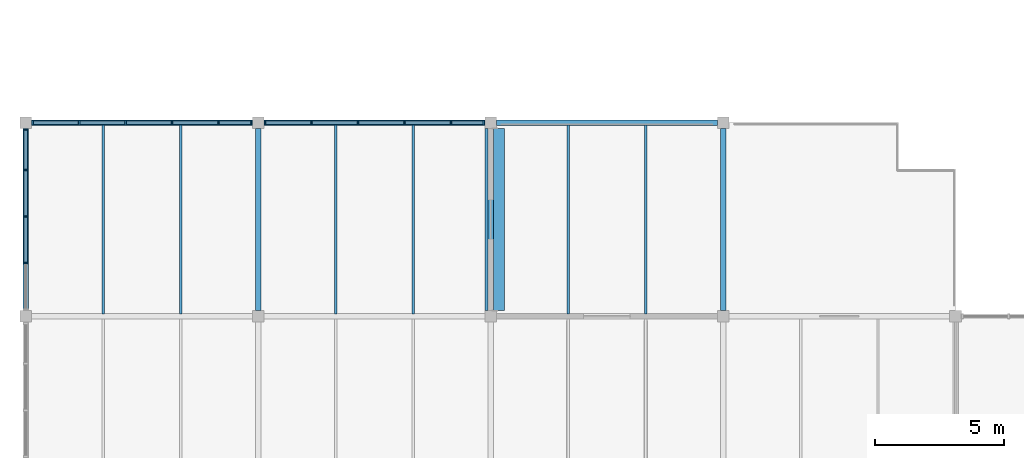
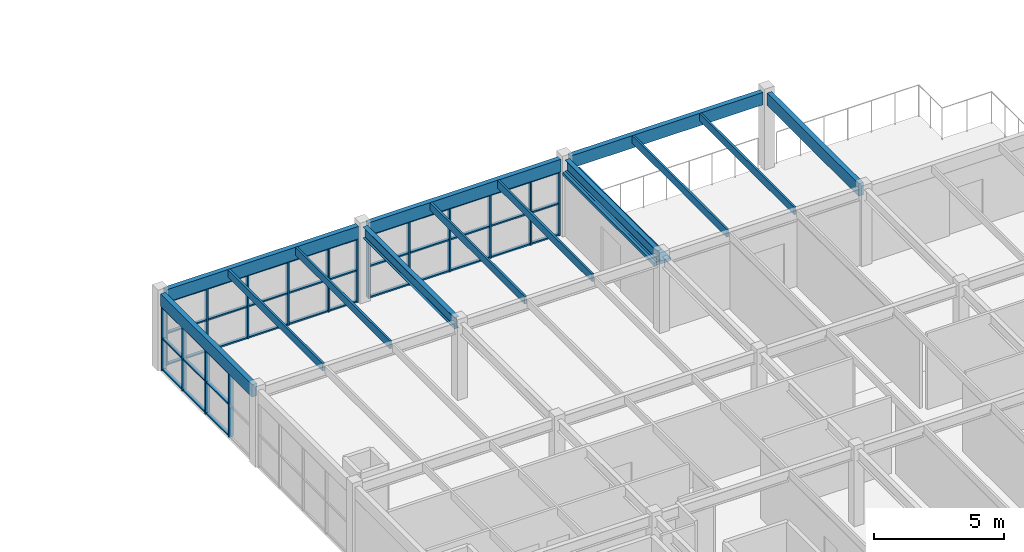
# One storey, part 8 of 45: 56 members, 13 beams, 3 elements without a shape of their own.
"""IFC4 building model written with IfcOpenShell, lengths in metres."""

from ifc_helpers import new_model, si_unit, direction, frame, origin, origin_2d, place, context, subcontext, project, spatial, rectangle, i_section, extrude, material, layer, layer_set, material_profile, profile_set, type_object, element, aggregate, save


model = new_model("IFC4")

# Units and contexts
model_context = context("Model", 3, precision=1e-05, world=origin(), true_north=direction((0.0, 1.0)))
body_context = subcontext(model_context, "Body", "Model", "MODEL_VIEW")
ifc_project = project(units=[si_unit("LENGTHUNIT", "METRE"), si_unit("AREAUNIT", "SQUARE_METRE"), si_unit("VOLUMEUNIT", "CUBIC_METRE"), si_unit("PLANEANGLEUNIT", "RADIAN"), si_unit("MASSUNIT", "GRAM", prefix="KILO")], contexts=[model_context])

# Site, building, storey
site_placement = place(None, origin())
site = spatial("IfcSite", under=ifc_project, at=site_placement, CompositionType="ELEMENT")
building_placement = place(site_placement, origin())
building = spatial("IfcBuilding", under=site, at=building_placement, Name="Marnridge Secondary College", CompositionType="ELEMENT")
storey_placement = place(building_placement, frame((0.0, 0.0, 12.300048828125)))
storey = spatial("IfcBuildingStorey", under=building, at=storey_placement, Name="L03", CompositionType="ELEMENT", Elevation=12.300048828125)

# Beams
ifc_material_1 = material(Name="Glulam timber GL18", Category="wood")
ifc_material_profile_1 = material_profile(ifc_material_1, rectangle(XDim=0.215087890625, YDim=0.5849609375, at=origin_2d()), Name="GL18 215x585")
ifc_profile_set_1 = profile_set([ifc_material_profile_1], Name="Glulam timber GL18")
beam_type_1 = type_object("IfcBeamType", Name="BM-GL585-EXT", PredefinedType="SPANDREL", material=ifc_profile_set_1)
beam_1_placement = place(storey_placement, frame((0.218994140625, 37.5, 3.29736328125), z_axis=(1.0, 0.0, 0.0), x_axis=(0.0, 1.0, 0.0)))
element("IfcBeam", 1, at=beam_1_placement, inside=storey, type_object=beam_type_1, Name="Beam BS-L03-1149", PredefinedType="SPANDREL", context=body_context, shape_type="SweptSolid", body=[
    extrude(rectangle(XDim=0.215087890625, YDim=0.5849609375, at=origin_2d()), origin(), (0.0, 0.0, 1.0), 8.56201171875),
])
beam_2_placement = place(storey_placement, frame((0.0, 30.218994140625, 3.29736328125), z_axis=(0.0, 1.0, 0.0), x_axis=(-1.0, 0.0, 0.0)))
element("IfcBeam", 2, at=beam_2_placement, inside=storey, type_object=beam_type_1, Name="Beam BS-L03-1150", PredefinedType="SPANDREL", context=body_context, shape_type="SweptSolid", body=[
    extrude(rectangle(XDim=0.215087890625, YDim=0.5849609375, at=origin_2d()), origin(), (0.0, 0.0, 1.0), 7.06201171875),
])
for number, where, z_axis, x_axis, name in (
    (3, (9.218994140625, 37.5, 3.29736328125), (1.0, 0.0, 0.0), (0.0, 1.0, 0.0), "Beam BS-L03-1152"),
    (4, (18.218994140625, 37.5, 3.29736328125), (1.0, 0.0, 0.0), (0.0, 1.0, 0.0), "Beam BS-L03-1154"),
):
    element("IfcBeam", number, at=place(storey_placement, frame(where, z_axis=z_axis, x_axis=x_axis)), inside=storey, type_object=beam_type_1, Name=name, PredefinedType="SPANDREL", context=body_context, shape_type="SweptSolid", body=[
        extrude(rectangle(XDim=0.215087890625, YDim=0.5849609375, at=origin_2d()), origin(), (0.0, 0.0, 1.0), 8.56201171875),
    ])
beam_3_placement = place(storey_placement, frame((27.0, 30.218994140625, 3.29736328125), z_axis=(0.0, 1.0, 0.0), x_axis=(-1.0, 0.0, 0.0)))
element("IfcBeam", 5, at=beam_3_placement, inside=storey, type_object=beam_type_1, Name="Beam BS-L03-1155", PredefinedType="SPANDREL", context=body_context, shape_type="SweptSolid", body=[
    extrude(rectangle(XDim=0.215087890625, YDim=0.5849609375, at=origin_2d()), origin(), (0.0, 0.0, 1.0), 7.06201171875),
])
ifc_material_2 = material(Name="Engineered timber LVL E13.2", Category="wood")
ifc_material_profile_2 = material_profile(ifc_material_2, rectangle(XDim=0.090087890625, YDim=0.360107421875, at=origin_2d()), Name="LVL 90x360")
ifc_profile_set_2 = profile_set([ifc_material_profile_2], Name="Engineered timber LVL E13.2")
beam_type_2 = type_object("IfcBeamType", Name="BM-LVL360-INT", PredefinedType="JOIST", material=ifc_profile_set_2)
for number, where, z_axis, x_axis, name in (
    (6, (3.0, 30.098388671875, 3.409912109375), (0.0, 1.0, 0.0), (-1.0, 0.0, 0.0), "Beam BJ-L03-1183"),
    (7, (6.0, 30.098388671875, 3.409912109375), (0.0, 1.0, 0.0), (-1.0, 0.0, 0.0), "Beam BJ-L03-1184"),
    (8, (12.0, 30.098388671875, 3.409912109375), (0.0, 1.0, 0.0), (-1.0, 0.0, 0.0), "Beam BJ-L03-1185"),
    (9, (15.0, 30.098388671875, 3.409912109375), (0.0, 1.0, 0.0), (-1.0, 0.0, 0.0), "Beam BJ-L03-1186"),
    (10, (21.0, 30.098388671875, 3.409912109375), (0.0, 1.0, 0.0), (-1.0, 0.0, 0.0), "Beam BJ-L03-1187"),
    (11, (24.0, 30.098388671875, 3.409912109375), (0.0, 1.0, 0.0), (-1.0, 0.0, 0.0), "Beam BJ-L03-1188"),
):
    element("IfcBeam", number, at=place(storey_placement, frame(where, z_axis=z_axis, x_axis=x_axis)), inside=storey, type_object=beam_type_2, Name=name, PredefinedType="JOIST", context=body_context, shape_type="SweptSolid", body=[
        extrude(rectangle(XDim=0.090087890625, YDim=0.360107421875, at=origin_2d()), origin(), (0.0, 0.0, 1.0), 7.300048828125),
    ])
ifc_material_3 = material(Name="Structural steel Grade 350 (AS/NZS 3679.1/.2, fy = 340-360 MPa)", Category="steel")
ifc_material_profile_3 = material_profile(ifc_material_3, i_section(OverallWidth=0.208740234375, OverallDepth=0.5283203125, WebThickness=0.009521484375, FlangeThickness=0.01318359375, FilletRadius=0.013916015625, at=origin_2d()), Name="530UB82.0")
ifc_profile_set_3 = profile_set([ifc_material_profile_3], Name="Structural steel Grade 350 (AS/NZS 3679.1/.2, fy = 340-360 MPa)")
beam_type_3 = type_object("IfcBeamType", Name="BM-UB530-INT", PredefinedType="BEAM", material=ifc_profile_set_3)
for number, where, z_axis, x_axis, name in (
    (12, (9.0, 30.218994140625, 3.32568359375), (0.0, 1.0, 0.0), (-1.0, 0.0, 0.0), "Beam B-L03-1151"),
    (13, (18.0, 30.218994140625, 3.32568359375), (0.0, 1.0, 0.0), (-1.0, 0.0, 0.0), "Beam B-L03-1153"),
):
    element("IfcBeam", number, at=place(storey_placement, frame(where, z_axis=z_axis, x_axis=x_axis)), inside=storey, type_object=beam_type_3, Name=name, PredefinedType="BEAM", context=body_context, shape_type="SweptSolid", body=[
        extrude(i_section(OverallWidth=0.208740234375, OverallDepth=0.5283203125, WebThickness=0.009521484375, FlangeThickness=0.01318359375, FilletRadius=0.013916015625, at=origin_2d()), origin(), (0.0, 0.0, 1.0), 7.06201171875),
    ])

# Curtain wall, members
ifc_material_4 = material(Name="Bronze-anodised aluminium and solar-control glazing", Category="aluminium")
ifc_layer = layer(ifc_material_4, 0.199951171875)
ifc_layer_set = layer_set([ifc_layer], Name="CW-MOD-1800")
curtain_wall_type = type_object("IfcCurtainWallType", Name="CW-MOD-1800", PredefinedType="NOTDEFINED", material=ifc_layer_set)
curtain_wall_1_placement = place(storey_placement, origin())
curtain_wall_1 = element("IfcCurtainWall", 14, at=curtain_wall_1_placement, inside=storey, type_object=curtain_wall_type, Name="Unitised curtain wall CW-L03-127", PredefinedType="NOTDEFINED")
ifc_material_5 = material(Name="Bronze-anodised aluminium 6063-T6", Category="aluminium")
ifc_material_profile_4 = material_profile(ifc_material_5, rectangle(XDim=0.070068359375, YDim=0.199951171875, at=origin_2d()), Name="ALU 70x200")
ifc_profile_set_4 = profile_set([ifc_material_profile_4], Name="Bronze-anodised aluminium 6063-T6")
member_type_1 = type_object("IfcMemberType", Name="CWM-ALU200", PredefinedType="MULLION", material=ifc_profile_set_4)
member_1_placement = place(storey_placement, frame((0.263916015625, 37.5, 0.0), z_axis=(0.0, 0.0, 1.0), x_axis=(1.0, 0.0, 0.0)))
member_1 = element("IfcMember", 15, at=member_1_placement, type_object=member_type_1, Name="CW-L03-127 mullion 1", PredefinedType="MULLION", context=body_context, shape_type="SweptSolid", body=[
    extrude(rectangle(XDim=0.070068359375, YDim=0.199951171875, at=origin_2d()), origin(), (0.0, 0.0, 1.0), 2.9970703125),
])
member_2_placement = place(storey_placement, frame((2.06396484375, 37.5, 0.0), z_axis=(0.0, 0.0, 1.0), x_axis=(1.0, 0.0, 0.0)))
member_2 = element("IfcMember", 16, at=member_2_placement, type_object=member_type_1, Name="CW-L03-127 mullion 2", PredefinedType="MULLION", context=body_context, shape_type="SweptSolid", body=[
    extrude(rectangle(XDim=0.070068359375, YDim=0.199951171875, at=origin_2d()), origin(), (0.0, 0.0, 1.0), 2.9970703125),
])
member_3_placement = place(storey_placement, frame((3.864013671875, 37.5, 0.0), z_axis=(0.0, 0.0, 1.0), x_axis=(1.0, 0.0, 0.0)))
member_3 = element("IfcMember", 17, at=member_3_placement, type_object=member_type_1, Name="CW-L03-127 mullion 3", PredefinedType="MULLION", context=body_context, shape_type="SweptSolid", body=[
    extrude(rectangle(XDim=0.070068359375, YDim=0.199951171875, at=origin_2d()), origin(), (0.0, 0.0, 1.0), 2.9970703125),
])
member_4_placement = place(storey_placement, frame((5.6640625, 37.5, 0.0), z_axis=(0.0, 0.0, 1.0), x_axis=(1.0, 0.0, 0.0)))
member_4 = element("IfcMember", 18, at=member_4_placement, type_object=member_type_1, Name="CW-L03-127 mullion 4", PredefinedType="MULLION", context=body_context, shape_type="SweptSolid", body=[
    extrude(rectangle(XDim=0.070068359375, YDim=0.199951171875, at=origin_2d()), origin(), (0.0, 0.0, 1.0), 2.9970703125),
])
member_5_placement = place(storey_placement, frame((7.464111328125, 37.5, 0.0), z_axis=(0.0, 0.0, 1.0), x_axis=(1.0, 0.0, 0.0)))
member_5 = element("IfcMember", 19, at=member_5_placement, type_object=member_type_1, Name="CW-L03-127 mullion 5", PredefinedType="MULLION", context=body_context, shape_type="SweptSolid", body=[
    extrude(rectangle(XDim=0.070068359375, YDim=0.199951171875, at=origin_2d()), origin(), (0.0, 0.0, 1.0), 2.9970703125),
])
member_6_placement = place(storey_placement, frame((8.736083984375, 37.5, 0.0), z_axis=(0.0, 0.0, 1.0), x_axis=(1.0, 0.0, 0.0)))
member_6 = element("IfcMember", 20, at=member_6_placement, type_object=member_type_1, Name="CW-L03-127 mullion 6", PredefinedType="MULLION", context=body_context, shape_type="SweptSolid", body=[
    extrude(rectangle(XDim=0.070068359375, YDim=0.199951171875, at=origin_2d()), origin(), (0.0, 0.0, 1.0), 2.9970703125),
])

curtain_wall_2_placement = place(storey_placement, origin())
curtain_wall_2 = element("IfcCurtainWall", 21, at=curtain_wall_2_placement, inside=storey, type_object=curtain_wall_type, Name="Unitised curtain wall CW-L03-128", PredefinedType="NOTDEFINED")
member_7_placement = place(storey_placement, frame((9.263916015625, 37.5, 0.0), z_axis=(0.0, 0.0, 1.0), x_axis=(1.0, 0.0, 0.0)))
member_7 = element("IfcMember", 22, at=member_7_placement, type_object=member_type_1, Name="CW-L03-128 mullion 1", PredefinedType="MULLION", context=body_context, shape_type="SweptSolid", body=[
    extrude(rectangle(XDim=0.070068359375, YDim=0.199951171875, at=origin_2d()), origin(), (0.0, 0.0, 1.0), 2.9970703125),
])
member_8_placement = place(storey_placement, frame((11.06396484375, 37.5, 0.0), z_axis=(0.0, 0.0, 1.0), x_axis=(1.0, 0.0, 0.0)))
member_8 = element("IfcMember", 23, at=member_8_placement, type_object=member_type_1, Name="CW-L03-128 mullion 2", PredefinedType="MULLION", context=body_context, shape_type="SweptSolid", body=[
    extrude(rectangle(XDim=0.070068359375, YDim=0.199951171875, at=origin_2d()), origin(), (0.0, 0.0, 1.0), 2.9970703125),
])
member_9_placement = place(storey_placement, frame((12.864013671875, 37.5, 0.0), z_axis=(0.0, 0.0, 1.0), x_axis=(1.0, 0.0, 0.0)))
member_9 = element("IfcMember", 24, at=member_9_placement, type_object=member_type_1, Name="CW-L03-128 mullion 3", PredefinedType="MULLION", context=body_context, shape_type="SweptSolid", body=[
    extrude(rectangle(XDim=0.070068359375, YDim=0.199951171875, at=origin_2d()), origin(), (0.0, 0.0, 1.0), 2.9970703125),
])
member_10_placement = place(storey_placement, frame((14.6640625, 37.5, 0.0), z_axis=(0.0, 0.0, 1.0), x_axis=(1.0, 0.0, 0.0)))
member_10 = element("IfcMember", 25, at=member_10_placement, type_object=member_type_1, Name="CW-L03-128 mullion 4", PredefinedType="MULLION", context=body_context, shape_type="SweptSolid", body=[
    extrude(rectangle(XDim=0.070068359375, YDim=0.199951171875, at=origin_2d()), origin(), (0.0, 0.0, 1.0), 2.9970703125),
])
member_11_placement = place(storey_placement, frame((16.464111328125, 37.5, 0.0), z_axis=(0.0, 0.0, 1.0), x_axis=(1.0, 0.0, 0.0)))
member_11 = element("IfcMember", 26, at=member_11_placement, type_object=member_type_1, Name="CW-L03-128 mullion 5", PredefinedType="MULLION", context=body_context, shape_type="SweptSolid", body=[
    extrude(rectangle(XDim=0.070068359375, YDim=0.199951171875, at=origin_2d()), origin(), (0.0, 0.0, 1.0), 2.9970703125),
])
member_12_placement = place(storey_placement, frame((17.736083984375, 37.5, 0.0), z_axis=(0.0, 0.0, 1.0), x_axis=(1.0, 0.0, 0.0)))
member_12 = element("IfcMember", 27, at=member_12_placement, type_object=member_type_1, Name="CW-L03-128 mullion 6", PredefinedType="MULLION", context=body_context, shape_type="SweptSolid", body=[
    extrude(rectangle(XDim=0.070068359375, YDim=0.199951171875, at=origin_2d()), origin(), (0.0, 0.0, 1.0), 2.9970703125),
])

curtain_wall_3_placement = place(storey_placement, origin())
curtain_wall_3 = element("IfcCurtainWall", 28, at=curtain_wall_3_placement, inside=storey, type_object=curtain_wall_type, Name="Unitised curtain wall CW-L03-137", PredefinedType="NOTDEFINED")
member_13_placement = place(storey_placement, frame((0.0, 32.06396484375, 0.0), z_axis=(0.0, 0.0, 1.0), x_axis=(0.0, 1.0, 0.0)))
member_13 = element("IfcMember", 29, at=member_13_placement, type_object=member_type_1, Name="CW-L03-137 mullion 2", PredefinedType="MULLION", context=body_context, shape_type="SweptSolid", body=[
    extrude(rectangle(XDim=0.070068359375, YDim=0.199951171875, at=origin_2d()), origin(), (0.0, 0.0, 1.0), 2.9970703125),
])
member_14_placement = place(storey_placement, frame((0.0, 33.864013671875, 0.0), z_axis=(0.0, 0.0, 1.0), x_axis=(0.0, 1.0, 0.0)))
member_14 = element("IfcMember", 30, at=member_14_placement, type_object=member_type_1, Name="CW-L03-137 mullion 3", PredefinedType="MULLION", context=body_context, shape_type="SweptSolid", body=[
    extrude(rectangle(XDim=0.070068359375, YDim=0.199951171875, at=origin_2d()), origin(), (0.0, 0.0, 1.0), 2.9970703125),
])
member_15_placement = place(storey_placement, frame((0.0, 35.6640625, 0.0), z_axis=(0.0, 0.0, 1.0), x_axis=(0.0, 1.0, 0.0)))
member_15 = element("IfcMember", 31, at=member_15_placement, type_object=member_type_1, Name="CW-L03-137 mullion 4", PredefinedType="MULLION", context=body_context, shape_type="SweptSolid", body=[
    extrude(rectangle(XDim=0.070068359375, YDim=0.199951171875, at=origin_2d()), origin(), (0.0, 0.0, 1.0), 2.9970703125),
])
member_16_placement = place(storey_placement, frame((0.0, 37.236083984375, 0.0), z_axis=(0.0, 0.0, 1.0), x_axis=(0.0, 1.0, 0.0)))
member_16 = element("IfcMember", 32, at=member_16_placement, type_object=member_type_1, Name="CW-L03-137 mullion 5", PredefinedType="MULLION", context=body_context, shape_type="SweptSolid", body=[
    extrude(rectangle(XDim=0.070068359375, YDim=0.199951171875, at=origin_2d()), origin(), (0.0, 0.0, 1.0), 2.9970703125),
])

# Member
ifc_material_6 = material(Name="Anodised aluminium 6063-T6", Category="aluminium")
ifc_material_profile_5 = material_profile(ifc_material_6, rectangle(XDim=0.06494140625, YDim=0.139892578125, at=origin_2d()), Name="ALU 65x140")
ifc_profile_set_5 = profile_set([ifc_material_profile_5], Name="Anodised aluminium 6063-T6")
member_type_2 = type_object("IfcMemberType", Name="CWT-ALU140", PredefinedType="USERDEFINED", material=ifc_profile_set_5)
member_17_placement = place(storey_placement, frame((0.299072265625, 37.5, 0.032470703125), z_axis=(1.0, 0.0, 0.0), x_axis=(0.0, 0.0, 1.0)))
member_17 = element("IfcMember", 33, at=member_17_placement, type_object=member_type_2, Name="CW-L03-127 transom 1.1", ObjectType="TRANSOM", PredefinedType="USERDEFINED", context=body_context, shape_type="SweptSolid", body=[
    extrude(rectangle(XDim=0.06494140625, YDim=0.139892578125, at=origin_2d()), origin(), (0.0, 0.0, 1.0), 1.72998046875),
])

member_18_placement = place(storey_placement, frame((0.299072265625, 37.5, 1.4990234375), z_axis=(1.0, 0.0, 0.0), x_axis=(0.0, 0.0, 1.0)))
member_18 = element("IfcMember", 34, at=member_18_placement, type_object=member_type_2, Name="CW-L03-127 transom 1.2", ObjectType="TRANSOM", PredefinedType="USERDEFINED", context=body_context, shape_type="SweptSolid", body=[
    extrude(rectangle(XDim=0.06494140625, YDim=0.139892578125, at=origin_2d()), origin(), (0.0, 0.0, 1.0), 1.72998046875),
])

member_19_placement = place(storey_placement, frame((0.299072265625, 37.5, 2.96435546875), z_axis=(1.0, 0.0, 0.0), x_axis=(0.0, 0.0, 1.0)))
member_19 = element("IfcMember", 35, at=member_19_placement, type_object=member_type_2, Name="CW-L03-127 transom 1.3", ObjectType="TRANSOM", PredefinedType="USERDEFINED", context=body_context, shape_type="SweptSolid", body=[
    extrude(rectangle(XDim=0.06494140625, YDim=0.139892578125, at=origin_2d()), origin(), (0.0, 0.0, 1.0), 1.72998046875),
])

member_20_placement = place(storey_placement, frame((2.09912109375, 37.5, 0.032470703125), z_axis=(1.0, 0.0, 0.0), x_axis=(0.0, 0.0, 1.0)))
member_20 = element("IfcMember", 36, at=member_20_placement, type_object=member_type_2, Name="CW-L03-127 transom 2.1", ObjectType="TRANSOM", PredefinedType="USERDEFINED", context=body_context, shape_type="SweptSolid", body=[
    extrude(rectangle(XDim=0.06494140625, YDim=0.139892578125, at=origin_2d()), origin(), (0.0, 0.0, 1.0), 1.72998046875),
])

member_21_placement = place(storey_placement, frame((2.09912109375, 37.5, 1.4990234375), z_axis=(1.0, 0.0, 0.0), x_axis=(0.0, 0.0, 1.0)))
member_21 = element("IfcMember", 37, at=member_21_placement, type_object=member_type_2, Name="CW-L03-127 transom 2.2", ObjectType="TRANSOM", PredefinedType="USERDEFINED", context=body_context, shape_type="SweptSolid", body=[
    extrude(rectangle(XDim=0.06494140625, YDim=0.139892578125, at=origin_2d()), origin(), (0.0, 0.0, 1.0), 1.72998046875),
])

member_22_placement = place(storey_placement, frame((2.09912109375, 37.5, 2.96435546875), z_axis=(1.0, 0.0, 0.0), x_axis=(0.0, 0.0, 1.0)))
member_22 = element("IfcMember", 38, at=member_22_placement, type_object=member_type_2, Name="CW-L03-127 transom 2.3", ObjectType="TRANSOM", PredefinedType="USERDEFINED", context=body_context, shape_type="SweptSolid", body=[
    extrude(rectangle(XDim=0.06494140625, YDim=0.139892578125, at=origin_2d()), origin(), (0.0, 0.0, 1.0), 1.72998046875),
])

member_23_placement = place(storey_placement, frame((3.89892578125, 37.5, 0.032470703125), z_axis=(1.0, 0.0, 0.0), x_axis=(0.0, 0.0, 1.0)))
member_23 = element("IfcMember", 39, at=member_23_placement, type_object=member_type_2, Name="CW-L03-127 transom 3.1", ObjectType="TRANSOM", PredefinedType="USERDEFINED", context=body_context, shape_type="SweptSolid", body=[
    extrude(rectangle(XDim=0.06494140625, YDim=0.139892578125, at=origin_2d()), origin(), (0.0, 0.0, 1.0), 1.72998046875),
])

member_24_placement = place(storey_placement, frame((3.89892578125, 37.5, 1.4990234375), z_axis=(1.0, 0.0, 0.0), x_axis=(0.0, 0.0, 1.0)))
member_24 = element("IfcMember", 40, at=member_24_placement, type_object=member_type_2, Name="CW-L03-127 transom 3.2", ObjectType="TRANSOM", PredefinedType="USERDEFINED", context=body_context, shape_type="SweptSolid", body=[
    extrude(rectangle(XDim=0.06494140625, YDim=0.139892578125, at=origin_2d()), origin(), (0.0, 0.0, 1.0), 1.72998046875),
])

member_25_placement = place(storey_placement, frame((3.89892578125, 37.5, 2.96435546875), z_axis=(1.0, 0.0, 0.0), x_axis=(0.0, 0.0, 1.0)))
member_25 = element("IfcMember", 41, at=member_25_placement, type_object=member_type_2, Name="CW-L03-127 transom 3.3", ObjectType="TRANSOM", PredefinedType="USERDEFINED", context=body_context, shape_type="SweptSolid", body=[
    extrude(rectangle(XDim=0.06494140625, YDim=0.139892578125, at=origin_2d()), origin(), (0.0, 0.0, 1.0), 1.72998046875),
])

member_26_placement = place(storey_placement, frame((5.698974609375, 37.5, 0.032470703125), z_axis=(1.0, 0.0, 0.0), x_axis=(0.0, 0.0, 1.0)))
member_26 = element("IfcMember", 42, at=member_26_placement, type_object=member_type_2, Name="CW-L03-127 transom 4.1", ObjectType="TRANSOM", PredefinedType="USERDEFINED", context=body_context, shape_type="SweptSolid", body=[
    extrude(rectangle(XDim=0.06494140625, YDim=0.139892578125, at=origin_2d()), origin(), (0.0, 0.0, 1.0), 1.72998046875),
])

member_27_placement = place(storey_placement, frame((5.698974609375, 37.5, 1.4990234375), z_axis=(1.0, 0.0, 0.0), x_axis=(0.0, 0.0, 1.0)))
member_27 = element("IfcMember", 43, at=member_27_placement, type_object=member_type_2, Name="CW-L03-127 transom 4.2", ObjectType="TRANSOM", PredefinedType="USERDEFINED", context=body_context, shape_type="SweptSolid", body=[
    extrude(rectangle(XDim=0.06494140625, YDim=0.139892578125, at=origin_2d()), origin(), (0.0, 0.0, 1.0), 1.72998046875),
])

member_28_placement = place(storey_placement, frame((5.698974609375, 37.5, 2.96435546875), z_axis=(1.0, 0.0, 0.0), x_axis=(0.0, 0.0, 1.0)))
member_28 = element("IfcMember", 44, at=member_28_placement, type_object=member_type_2, Name="CW-L03-127 transom 4.3", ObjectType="TRANSOM", PredefinedType="USERDEFINED", context=body_context, shape_type="SweptSolid", body=[
    extrude(rectangle(XDim=0.06494140625, YDim=0.139892578125, at=origin_2d()), origin(), (0.0, 0.0, 1.0), 1.72998046875),
])

member_29_placement = place(storey_placement, frame((7.4990234375, 37.5, 0.032470703125), z_axis=(1.0, 0.0, 0.0), x_axis=(0.0, 0.0, 1.0)))
member_29 = element("IfcMember", 45, at=member_29_placement, type_object=member_type_2, Name="CW-L03-127 transom 5.1", ObjectType="TRANSOM", PredefinedType="USERDEFINED", context=body_context, shape_type="SweptSolid", body=[
    extrude(rectangle(XDim=0.06494140625, YDim=0.139892578125, at=origin_2d()), origin(), (0.0, 0.0, 1.0), 1.201904296875),
])

member_30_placement = place(storey_placement, frame((7.4990234375, 37.5, 1.4990234375), z_axis=(1.0, 0.0, 0.0), x_axis=(0.0, 0.0, 1.0)))
member_30 = element("IfcMember", 46, at=member_30_placement, type_object=member_type_2, Name="CW-L03-127 transom 5.2", ObjectType="TRANSOM", PredefinedType="USERDEFINED", context=body_context, shape_type="SweptSolid", body=[
    extrude(rectangle(XDim=0.06494140625, YDim=0.139892578125, at=origin_2d()), origin(), (0.0, 0.0, 1.0), 1.201904296875),
])

member_31_placement = place(storey_placement, frame((7.4990234375, 37.5, 2.96435546875), z_axis=(1.0, 0.0, 0.0), x_axis=(0.0, 0.0, 1.0)))
member_31 = element("IfcMember", 47, at=member_31_placement, type_object=member_type_2, Name="CW-L03-127 transom 5.3", ObjectType="TRANSOM", PredefinedType="USERDEFINED", context=body_context, shape_type="SweptSolid", body=[
    extrude(rectangle(XDim=0.06494140625, YDim=0.139892578125, at=origin_2d()), origin(), (0.0, 0.0, 1.0), 1.201904296875),
])

aggregate(curtain_wall_1, [member_1, member_2, member_3, member_4, member_5, member_6, member_17, member_18, member_19, member_20, member_21, member_22, member_23, member_24, member_25, member_26, member_27, member_28, member_29, member_30, member_31])

member_32_placement = place(storey_placement, frame((9.299072265625, 37.5, 0.032470703125), z_axis=(1.0, 0.0, 0.0), x_axis=(0.0, 0.0, 1.0)))
member_32 = element("IfcMember", 48, at=member_32_placement, type_object=member_type_2, Name="CW-L03-128 transom 1.1", ObjectType="TRANSOM", PredefinedType="USERDEFINED", context=body_context, shape_type="SweptSolid", body=[
    extrude(rectangle(XDim=0.06494140625, YDim=0.139892578125, at=origin_2d()), origin(), (0.0, 0.0, 1.0), 1.72998046875),
])

member_33_placement = place(storey_placement, frame((9.299072265625, 37.5, 1.4990234375), z_axis=(1.0, 0.0, 0.0), x_axis=(0.0, 0.0, 1.0)))
member_33 = element("IfcMember", 49, at=member_33_placement, type_object=member_type_2, Name="CW-L03-128 transom 1.2", ObjectType="TRANSOM", PredefinedType="USERDEFINED", context=body_context, shape_type="SweptSolid", body=[
    extrude(rectangle(XDim=0.06494140625, YDim=0.139892578125, at=origin_2d()), origin(), (0.0, 0.0, 1.0), 1.72998046875),
])

member_34_placement = place(storey_placement, frame((9.299072265625, 37.5, 2.96435546875), z_axis=(1.0, 0.0, 0.0), x_axis=(0.0, 0.0, 1.0)))
member_34 = element("IfcMember", 50, at=member_34_placement, type_object=member_type_2, Name="CW-L03-128 transom 1.3", ObjectType="TRANSOM", PredefinedType="USERDEFINED", context=body_context, shape_type="SweptSolid", body=[
    extrude(rectangle(XDim=0.06494140625, YDim=0.139892578125, at=origin_2d()), origin(), (0.0, 0.0, 1.0), 1.72998046875),
])

member_35_placement = place(storey_placement, frame((11.09912109375, 37.5, 0.032470703125), z_axis=(1.0, 0.0, 0.0), x_axis=(0.0, 0.0, 1.0)))
member_35 = element("IfcMember", 51, at=member_35_placement, type_object=member_type_2, Name="CW-L03-128 transom 2.1", ObjectType="TRANSOM", PredefinedType="USERDEFINED", context=body_context, shape_type="SweptSolid", body=[
    extrude(rectangle(XDim=0.06494140625, YDim=0.139892578125, at=origin_2d()), origin(), (0.0, 0.0, 1.0), 1.72998046875),
])

member_36_placement = place(storey_placement, frame((11.09912109375, 37.5, 1.4990234375), z_axis=(1.0, 0.0, 0.0), x_axis=(0.0, 0.0, 1.0)))
member_36 = element("IfcMember", 52, at=member_36_placement, type_object=member_type_2, Name="CW-L03-128 transom 2.2", ObjectType="TRANSOM", PredefinedType="USERDEFINED", context=body_context, shape_type="SweptSolid", body=[
    extrude(rectangle(XDim=0.06494140625, YDim=0.139892578125, at=origin_2d()), origin(), (0.0, 0.0, 1.0), 1.72998046875),
])

member_37_placement = place(storey_placement, frame((11.09912109375, 37.5, 2.96435546875), z_axis=(1.0, 0.0, 0.0), x_axis=(0.0, 0.0, 1.0)))
member_37 = element("IfcMember", 53, at=member_37_placement, type_object=member_type_2, Name="CW-L03-128 transom 2.3", ObjectType="TRANSOM", PredefinedType="USERDEFINED", context=body_context, shape_type="SweptSolid", body=[
    extrude(rectangle(XDim=0.06494140625, YDim=0.139892578125, at=origin_2d()), origin(), (0.0, 0.0, 1.0), 1.72998046875),
])

member_38_placement = place(storey_placement, frame((12.89892578125, 37.5, 0.032470703125), z_axis=(1.0, 0.0, 0.0), x_axis=(0.0, 0.0, 1.0)))
member_38 = element("IfcMember", 54, at=member_38_placement, type_object=member_type_2, Name="CW-L03-128 transom 3.1", ObjectType="TRANSOM", PredefinedType="USERDEFINED", context=body_context, shape_type="SweptSolid", body=[
    extrude(rectangle(XDim=0.06494140625, YDim=0.139892578125, at=origin_2d()), origin(), (0.0, 0.0, 1.0), 1.72998046875),
])

member_39_placement = place(storey_placement, frame((12.89892578125, 37.5, 1.4990234375), z_axis=(1.0, 0.0, 0.0), x_axis=(0.0, 0.0, 1.0)))
member_39 = element("IfcMember", 55, at=member_39_placement, type_object=member_type_2, Name="CW-L03-128 transom 3.2", ObjectType="TRANSOM", PredefinedType="USERDEFINED", context=body_context, shape_type="SweptSolid", body=[
    extrude(rectangle(XDim=0.06494140625, YDim=0.139892578125, at=origin_2d()), origin(), (0.0, 0.0, 1.0), 1.72998046875),
])

member_40_placement = place(storey_placement, frame((12.89892578125, 37.5, 2.96435546875), z_axis=(1.0, 0.0, 0.0), x_axis=(0.0, 0.0, 1.0)))
member_40 = element("IfcMember", 56, at=member_40_placement, type_object=member_type_2, Name="CW-L03-128 transom 3.3", ObjectType="TRANSOM", PredefinedType="USERDEFINED", context=body_context, shape_type="SweptSolid", body=[
    extrude(rectangle(XDim=0.06494140625, YDim=0.139892578125, at=origin_2d()), origin(), (0.0, 0.0, 1.0), 1.72998046875),
])

member_41_placement = place(storey_placement, frame((14.698974609375, 37.5, 0.032470703125), z_axis=(1.0, 0.0, 0.0), x_axis=(0.0, 0.0, 1.0)))
member_41 = element("IfcMember", 57, at=member_41_placement, type_object=member_type_2, Name="CW-L03-128 transom 4.1", ObjectType="TRANSOM", PredefinedType="USERDEFINED", context=body_context, shape_type="SweptSolid", body=[
    extrude(rectangle(XDim=0.06494140625, YDim=0.139892578125, at=origin_2d()), origin(), (0.0, 0.0, 1.0), 1.72998046875),
])

member_42_placement = place(storey_placement, frame((14.698974609375, 37.5, 1.4990234375), z_axis=(1.0, 0.0, 0.0), x_axis=(0.0, 0.0, 1.0)))
member_42 = element("IfcMember", 58, at=member_42_placement, type_object=member_type_2, Name="CW-L03-128 transom 4.2", ObjectType="TRANSOM", PredefinedType="USERDEFINED", context=body_context, shape_type="SweptSolid", body=[
    extrude(rectangle(XDim=0.06494140625, YDim=0.139892578125, at=origin_2d()), origin(), (0.0, 0.0, 1.0), 1.72998046875),
])

member_43_placement = place(storey_placement, frame((14.698974609375, 37.5, 2.96435546875), z_axis=(1.0, 0.0, 0.0), x_axis=(0.0, 0.0, 1.0)))
member_43 = element("IfcMember", 59, at=member_43_placement, type_object=member_type_2, Name="CW-L03-128 transom 4.3", ObjectType="TRANSOM", PredefinedType="USERDEFINED", context=body_context, shape_type="SweptSolid", body=[
    extrude(rectangle(XDim=0.06494140625, YDim=0.139892578125, at=origin_2d()), origin(), (0.0, 0.0, 1.0), 1.72998046875),
])

member_44_placement = place(storey_placement, frame((16.4990234375, 37.5, 0.032470703125), z_axis=(1.0, 0.0, 0.0), x_axis=(0.0, 0.0, 1.0)))
member_44 = element("IfcMember", 60, at=member_44_placement, type_object=member_type_2, Name="CW-L03-128 transom 5.1", ObjectType="TRANSOM", PredefinedType="USERDEFINED", context=body_context, shape_type="SweptSolid", body=[
    extrude(rectangle(XDim=0.06494140625, YDim=0.139892578125, at=origin_2d()), origin(), (0.0, 0.0, 1.0), 1.201904296875),
])

member_45_placement = place(storey_placement, frame((16.4990234375, 37.5, 1.4990234375), z_axis=(1.0, 0.0, 0.0), x_axis=(0.0, 0.0, 1.0)))
member_45 = element("IfcMember", 61, at=member_45_placement, type_object=member_type_2, Name="CW-L03-128 transom 5.2", ObjectType="TRANSOM", PredefinedType="USERDEFINED", context=body_context, shape_type="SweptSolid", body=[
    extrude(rectangle(XDim=0.06494140625, YDim=0.139892578125, at=origin_2d()), origin(), (0.0, 0.0, 1.0), 1.201904296875),
])

member_46_placement = place(storey_placement, frame((16.4990234375, 37.5, 2.96435546875), z_axis=(1.0, 0.0, 0.0), x_axis=(0.0, 0.0, 1.0)))
member_46 = element("IfcMember", 62, at=member_46_placement, type_object=member_type_2, Name="CW-L03-128 transom 5.3", ObjectType="TRANSOM", PredefinedType="USERDEFINED", context=body_context, shape_type="SweptSolid", body=[
    extrude(rectangle(XDim=0.06494140625, YDim=0.139892578125, at=origin_2d()), origin(), (0.0, 0.0, 1.0), 1.201904296875),
])

aggregate(curtain_wall_2, [member_7, member_8, member_9, member_10, member_11, member_12, member_32, member_33, member_34, member_35, member_36, member_37, member_38, member_39, member_40, member_41, member_42, member_43, member_44, member_45, member_46])

member_47_placement = place(storey_placement, frame((0.0, 32.09912109375, 0.032470703125), z_axis=(0.0, 1.0, 0.0), x_axis=(0.0, 0.0, 1.0)))
member_47 = element("IfcMember", 63, at=member_47_placement, type_object=member_type_2, Name="CW-L03-137 transom 2.1", ObjectType="TRANSOM", PredefinedType="USERDEFINED", context=body_context, shape_type="SweptSolid", body=[
    extrude(rectangle(XDim=0.06494140625, YDim=0.139892578125, at=origin_2d()), origin(), (0.0, 0.0, 1.0), 1.72998046875),
])

member_48_placement = place(storey_placement, frame((0.0, 32.09912109375, 1.4990234375), z_axis=(0.0, 1.0, 0.0), x_axis=(0.0, 0.0, 1.0)))
member_48 = element("IfcMember", 64, at=member_48_placement, type_object=member_type_2, Name="CW-L03-137 transom 2.2", ObjectType="TRANSOM", PredefinedType="USERDEFINED", context=body_context, shape_type="SweptSolid", body=[
    extrude(rectangle(XDim=0.06494140625, YDim=0.139892578125, at=origin_2d()), origin(), (0.0, 0.0, 1.0), 1.72998046875),
])

member_49_placement = place(storey_placement, frame((0.0, 32.09912109375, 2.96435546875), z_axis=(0.0, 1.0, 0.0), x_axis=(0.0, 0.0, 1.0)))
member_49 = element("IfcMember", 65, at=member_49_placement, type_object=member_type_2, Name="CW-L03-137 transom 2.3", ObjectType="TRANSOM", PredefinedType="USERDEFINED", context=body_context, shape_type="SweptSolid", body=[
    extrude(rectangle(XDim=0.06494140625, YDim=0.139892578125, at=origin_2d()), origin(), (0.0, 0.0, 1.0), 1.72998046875),
])

member_50_placement = place(storey_placement, frame((0.0, 33.89892578125, 0.032470703125), z_axis=(0.0, 1.0, 0.0), x_axis=(0.0, 0.0, 1.0)))
member_50 = element("IfcMember", 66, at=member_50_placement, type_object=member_type_2, Name="CW-L03-137 transom 3.1", ObjectType="TRANSOM", PredefinedType="USERDEFINED", context=body_context, shape_type="SweptSolid", body=[
    extrude(rectangle(XDim=0.06494140625, YDim=0.139892578125, at=origin_2d()), origin(), (0.0, 0.0, 1.0), 1.72998046875),
])

member_51_placement = place(storey_placement, frame((0.0, 33.89892578125, 1.4990234375), z_axis=(0.0, 1.0, 0.0), x_axis=(0.0, 0.0, 1.0)))
member_51 = element("IfcMember", 67, at=member_51_placement, type_object=member_type_2, Name="CW-L03-137 transom 3.2", ObjectType="TRANSOM", PredefinedType="USERDEFINED", context=body_context, shape_type="SweptSolid", body=[
    extrude(rectangle(XDim=0.06494140625, YDim=0.139892578125, at=origin_2d()), origin(), (0.0, 0.0, 1.0), 1.72998046875),
])

member_52_placement = place(storey_placement, frame((0.0, 33.89892578125, 2.96435546875), z_axis=(0.0, 1.0, 0.0), x_axis=(0.0, 0.0, 1.0)))
member_52 = element("IfcMember", 68, at=member_52_placement, type_object=member_type_2, Name="CW-L03-137 transom 3.3", ObjectType="TRANSOM", PredefinedType="USERDEFINED", context=body_context, shape_type="SweptSolid", body=[
    extrude(rectangle(XDim=0.06494140625, YDim=0.139892578125, at=origin_2d()), origin(), (0.0, 0.0, 1.0), 1.72998046875),
])

member_53_placement = place(storey_placement, frame((0.0, 35.698974609375, 0.032470703125), z_axis=(0.0, 1.0, 0.0), x_axis=(0.0, 0.0, 1.0)))
member_53 = element("IfcMember", 69, at=member_53_placement, type_object=member_type_2, Name="CW-L03-137 transom 4.1", ObjectType="TRANSOM", PredefinedType="USERDEFINED", context=body_context, shape_type="SweptSolid", body=[
    extrude(rectangle(XDim=0.06494140625, YDim=0.139892578125, at=origin_2d()), origin(), (0.0, 0.0, 1.0), 1.501953125),
])

member_54_placement = place(storey_placement, frame((0.0, 35.698974609375, 1.4990234375), z_axis=(0.0, 1.0, 0.0), x_axis=(0.0, 0.0, 1.0)))
member_54 = element("IfcMember", 70, at=member_54_placement, type_object=member_type_2, Name="CW-L03-137 transom 4.2", ObjectType="TRANSOM", PredefinedType="USERDEFINED", context=body_context, shape_type="SweptSolid", body=[
    extrude(rectangle(XDim=0.06494140625, YDim=0.139892578125, at=origin_2d()), origin(), (0.0, 0.0, 1.0), 1.501953125),
])

member_55_placement = place(storey_placement, frame((0.0, 35.698974609375, 2.96435546875), z_axis=(0.0, 1.0, 0.0), x_axis=(0.0, 0.0, 1.0)))
member_55 = element("IfcMember", 71, at=member_55_placement, type_object=member_type_2, Name="CW-L03-137 transom 4.3", ObjectType="TRANSOM", PredefinedType="USERDEFINED", context=body_context, shape_type="SweptSolid", body=[
    extrude(rectangle(XDim=0.06494140625, YDim=0.139892578125, at=origin_2d()), origin(), (0.0, 0.0, 1.0), 1.501953125),
])

aggregate(curtain_wall_3, [member_13, member_14, member_15, member_16, member_47, member_48, member_49, member_50, member_51, member_52, member_53, member_54, member_55])

ifc_material_7 = material(Name="Precast concrete C40/50 (AS 3600 N40, 40 MPa)", Category="concrete")
ifc_material_profile_6 = material_profile(ifc_material_7, rectangle(XDim=0.139892578125, YDim=0.75, at=origin_2d()), Name="FIN PC 140x750")
ifc_profile_set_6 = profile_set([ifc_material_profile_6], Name="Precast concrete C40/50 (AS 3600 N40, 40 MPa)")
member_type_3 = type_object("IfcMemberType", Name="MB-FIN-PC750", PredefinedType="USERDEFINED", material=ifc_profile_set_6)
member_56_placement = place(storey_placement, frame((18.159912109375, 37.27490234375, 2.9736328125), z_axis=(0.0, -1.0, 0.0), x_axis=(0.0, 0.0, 1.0)))
element("IfcMember", 72, at=member_56_placement, inside=storey, type_object=member_type_3, Name="Solar shading fin SFN-0026", ObjectType="SOLAR FIN", PredefinedType="USERDEFINED", context=body_context, shape_type="SweptSolid", body=[
    extrude(rectangle(XDim=0.139892578125, YDim=0.75, at=origin_2d()), origin(), (0.0, 0.0, 1.0), 7.0498046875),
])

save(model, "model.ifc")
